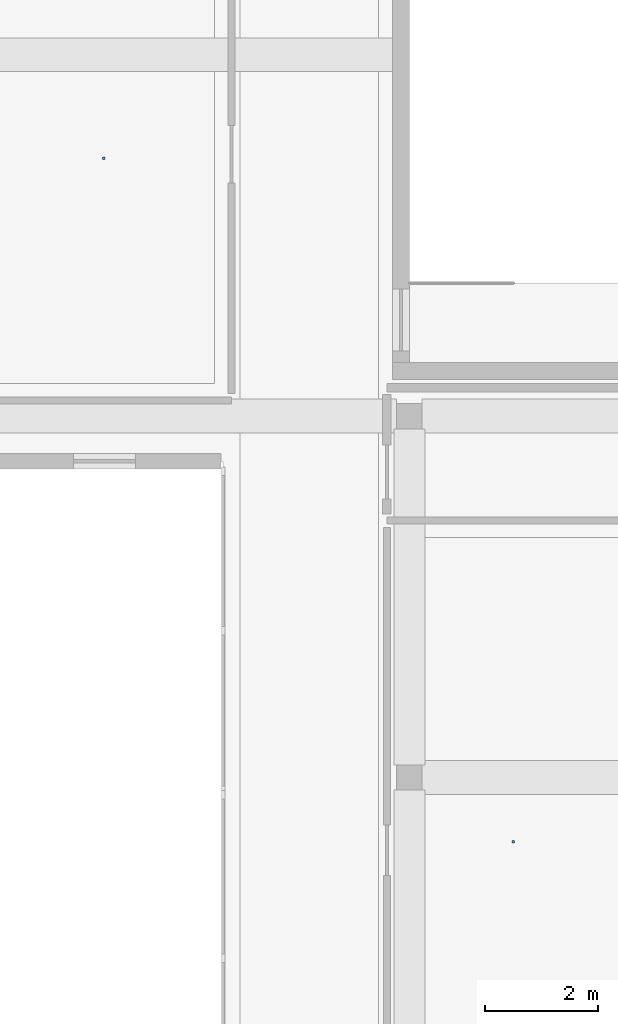
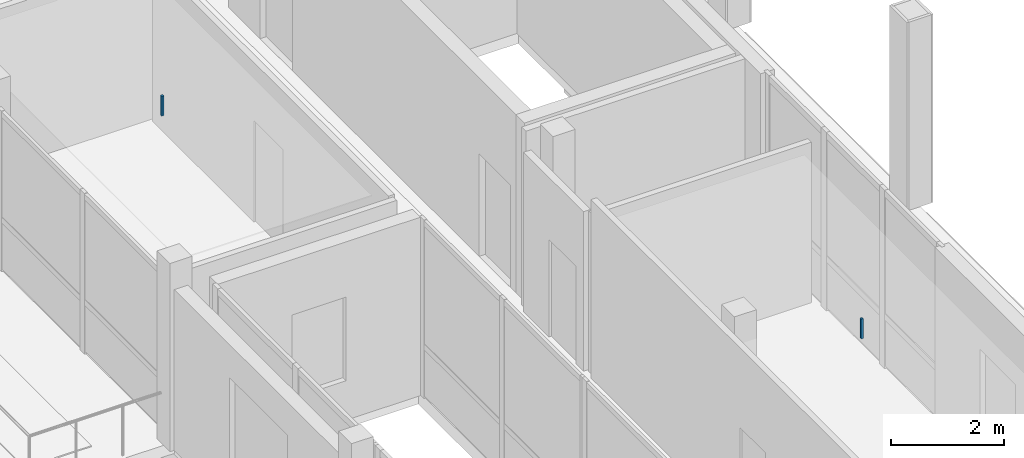
# One storey, part 37 of 48: 2 discrete accessories.
"""IFC4 building model written with IfcOpenShell, lengths in metres."""

import ifcopenshell
import ifcopenshell.guid

model = None  # the IFC model being written
_history = None  # IfcOwnerHistory: only IFC2X3 demands one
_inside = {}  # id of a spatial element -> (the spatial element, [elements in it])
_under = {}  # id of a project, library or spatial element -> (it, [spatial elements below it])
_declared = {}  # id of a project -> (the project, [libraries it declares])
_typed = {}  # id of a type object -> (the type object, [elements of that type])
_made_of = {}  # id of a material, layer set ... -> (it, [elements and type objects made of it])


def new_model(schema):
    """Start an empty IFC model of exactly this schema.

    Asked for "IFC4X3", IfcOpenShell would pick the latest addendum, in which some entities
    have other attributes; the version numbers below select the first issue.
    IFC2X3 requires an IfcOwnerHistory on every rooted entity: one is made here for all.
    """
    global model, _history
    if schema == "IFC4X3":
        model = ifcopenshell.file(schema_version=(4, 3, 0, 0))
    else:
        model = ifcopenshell.file(schema=schema)
    _inside.clear()
    _under.clear()
    _declared.clear()
    _typed.clear()
    _made_of.clear()
    _history = None
    if model.schema == "IFC2X3":
        org = make("IfcOrganization", Name="unknown")
        user = make(
            "IfcPersonAndOrganization",
            ThePerson=make("IfcPerson", FamilyName="unknown"),
            TheOrganization=org,
        )
        app = make(
            "IfcApplication",
            ApplicationDeveloper=org,
            Version="unknown",
            ApplicationFullName="unknown",
            ApplicationIdentifier="unknown",
        )
        _history = make(
            "IfcOwnerHistory",
            OwningUser=user,
            OwningApplication=app,
            ChangeAction="ADDED",
            CreationDate=0,
        )
    return model


def make(cls, **values):
    """One entity of the class cls with the attributes given. An attribute that is None is left unset."""
    return model.create_entity(
        cls, **{name: value for name, value in values.items() if value is not None}
    )


def rooted(cls, **values):
    """An entity with a GlobalId (a new one), such as an element, a storey or a relation."""
    return make(cls, GlobalId=ifcopenshell.guid.new(), OwnerHistory=_history, **values)


def si_unit(unit_type, name, prefix=None):
    """IfcSIUnit, for example si_unit("LENGTHUNIT", "METRE", prefix="MILLI")."""
    return make("IfcSIUnit", UnitType=unit_type, Prefix=prefix, Name=name)


def derived_unit(unit_type, elements):
    """IfcDerivedUnit: a product of units, each with its exponent."""
    return make(
        "IfcDerivedUnit",
        Elements=[
            make("IfcDerivedUnitElement", Unit=unit, Exponent=power)
            for unit, power in elements
        ],
        UnitType=unit_type,
    )


def assignment(units):
    """IfcUnitAssignment: the units of a project."""
    return None if units is None else make("IfcUnitAssignment", Units=units)


def point(xyz):
    """IfcCartesianPoint."""
    return None if xyz is None else make("IfcCartesianPoint", Coordinates=xyz)


def direction(xyz):
    """IfcDirection."""
    return None if xyz is None else make("IfcDirection", DirectionRatios=xyz)


def frame(location, z_axis=None, x_axis=None):
    """IfcAxis2Placement3D, a coordinate frame: its origin and axes. An axis left out is left unset."""
    return make(
        "IfcAxis2Placement3D",
        Location=point(location),
        Axis=direction(z_axis),
        RefDirection=direction(x_axis),
    )


def frame_2d(location, x_axis=None):
    """IfcAxis2Placement2D, a coordinate frame in the plane: its origin and x axis."""
    return make(
        "IfcAxis2Placement2D", Location=point(location), RefDirection=direction(x_axis)
    )


def origin():
    """The frame at (0, 0, 0) with its axes left unset."""
    return frame((0.0, 0.0, 0.0))


def origin_2d():
    """The frame at (0, 0) in the plane with its x axis left unset."""
    return frame_2d((0.0, 0.0))


def place(relative_to, where):
    """IfcLocalPlacement: puts the frame where relative to a parent placement (None: the world)."""
    return make(
        "IfcLocalPlacement", PlacementRelTo=relative_to, RelativePlacement=where
    )


def context(
    kind, dimensions, precision=None, world=None, true_north=None, identifier=None
):
    """IfcGeometricRepresentationContext, for example the 3D "Model" context."""
    return make(
        "IfcGeometricRepresentationContext",
        ContextIdentifier=identifier,
        ContextType=kind,
        CoordinateSpaceDimension=dimensions,
        Precision=precision,
        WorldCoordinateSystem=world,
        TrueNorth=true_north,
    )


def subcontext(parent, identifier, kind, view, scale=None):
    """IfcGeometricRepresentationSubContext, for example "Body" below "Model"."""
    return make(
        "IfcGeometricRepresentationSubContext",
        ContextIdentifier=identifier,
        ContextType=kind,
        ParentContext=parent,
        TargetScale=scale,
        TargetView=view,
    )


def project(units=None, contexts=None):
    """IfcProject with its units and contexts."""
    return rooted(
        "IfcProject",
        Name="project",
        RepresentationContexts=contexts,
        UnitsInContext=assignment(units),
    )


def spatial(cls, under=None, at=None, **own):
    """A site, building, storey or space (cls), placed at a placement, below another one or the project."""
    s = rooted(cls, ObjectPlacement=at, **own)
    if under is not None:
        _under.setdefault(under.id(), (under, []))[1].append(s)
    return s


def profile(cls, at=None, kind="AREA", **sizes):
    """A parametric profile (cls). Its sizes go by their IFC names, for example OverallWidth=200.0."""
    return make(cls, ProfileType=kind, Position=at, **sizes)


def rectangle(**sizes):
    """IfcRectangleProfileDef."""
    return profile("IfcRectangleProfileDef", **sizes)


def extrude(swept, where, along, depth):
    """IfcExtrudedAreaSolid: the profile swept, set in the frame where, extruded along a direction by depth."""
    return make(
        "IfcExtrudedAreaSolid",
        SweptArea=swept,
        Position=where,
        ExtrudedDirection=direction(along),
        Depth=depth,
    )


def shape(context_of_items, identifier, shape_type, items):
    """IfcShapeRepresentation: the items that make up one representation, for example the "Body"."""
    return make(
        "IfcShapeRepresentation",
        ContextOfItems=context_of_items,
        RepresentationIdentifier=identifier,
        RepresentationType=shape_type,
        Items=items,
    )


def material(Name=None, Category=None):
    """IfcMaterial."""
    return make("IfcMaterial", Name=Name, Category=Category)


def made_of(thing, what):
    """Note that an element or type object is made of a material, layer set ...; save() writes the relation."""
    if what is not None:
        _made_of.setdefault(what.id(), (what, []))[1].append(thing)
    return thing


def type_object(cls, material=None, **own):
    """A type object (cls), such as IfcWallType, which elements share."""
    return made_of(rooted(cls, **own), material)


def element(
    cls,
    number,
    at=None,
    inside=None,
    cuts=None,
    type_object=None,
    material=None,
    context=None,
    identifier="Body",
    shape_type=None,
    held_by="IfcProductDefinitionShape",
    body=None,
    shapes=None,
    **own,
):
    """One element of the class cls, such as IfcWall. Its Tag is "e" and its number.

    at: its placement. inside: the storey or other place that contains it. cuts: it is an
    opening in that element (IfcRelVoidsElement). A single representation is given by context,
    identifier, shape_type and body (its items); several are given by shapes. held_by: the class
    of the entity that holds the representations. save() writes the other relations.
    """
    e = rooted(cls, Tag="e%d" % number, ObjectPlacement=at, **own)
    if body is not None:
        shapes = [shape(context, identifier, shape_type, body)]
    if shapes is not None:
        e.Representation = make(held_by, Representations=shapes)
    if inside is not None:
        _inside.setdefault(inside.id(), (inside, []))[1].append(e)
    if cuts is not None:
        rooted(
            "IfcRelVoidsElement", RelatingBuildingElement=cuts, RelatedOpeningElement=e
        )
    if type_object is not None:
        _typed.setdefault(type_object.id(), (type_object, []))[1].append(e)
    return made_of(e, material)


def aggregate(whole, parts):
    """IfcRelAggregates: a whole, such as a stair, and the parts it consists of."""
    return rooted("IfcRelAggregates", RelatingObject=whole, RelatedObjects=parts)


def save(model, path):
    """Write the relations noted so far, then the file.

    IfcRelAggregates (storeys below a building ...), IfcRelContainedInSpatialStructure (elements
    in a storey), IfcRelDefinesByType, IfcRelAssociatesMaterial and IfcRelDeclares: one each for
    every whole, place, type object, material and project.
    """
    for whole, parts in _under.values():
        aggregate(whole, parts)
    for where, things in _inside.values():
        rooted(
            "IfcRelContainedInSpatialStructure",
            RelatedElements=things,
            RelatingStructure=where,
        )
    for kind, things in _typed.values():
        rooted("IfcRelDefinesByType", RelatedObjects=things, RelatingType=kind)
    for what, things in _made_of.values():
        rooted("IfcRelAssociatesMaterial", RelatedObjects=things, RelatingMaterial=what)
    for by, libraries in _declared.values():
        rooted("IfcRelDeclares", RelatingContext=by, RelatedDefinitions=libraries)
    model.write(path)


model = new_model("IFC4")

# Units and contexts
model_context = context("Model", 3, precision=1e-05, world=origin(), true_north=direction((0.0, 1.0)))
body_context = subcontext(model_context, "Body", "Model", "MODEL_VIEW")
ifc_project = project(units=[si_unit("LENGTHUNIT", "METRE"), si_unit("AREAUNIT", "SQUARE_METRE"), si_unit("VOLUMEUNIT", "CUBIC_METRE"), si_unit("PLANEANGLEUNIT", "RADIAN"), si_unit("MASSUNIT", "GRAM", prefix="KILO"), derived_unit("THERMALTRANSMITTANCEUNIT", [(si_unit("POWERUNIT", "WATT"), 1), (si_unit("LENGTHUNIT", "METRE"), -2), (si_unit("THERMODYNAMICTEMPERATUREUNIT", "KELVIN"), -1)])], contexts=[model_context])

# Site, building, storey
site_placement = place(None, origin())
site = spatial("IfcSite", under=ifc_project, at=site_placement, CompositionType="ELEMENT")
building_placement = place(site_placement, origin())
building = spatial("IfcBuilding", under=site, at=building_placement, Name="Braskholm Square Health Centre", CompositionType="ELEMENT")
storey_placement = place(building_placement, frame((0.0, 0.0, 17.550048828125)))
storey = spatial("IfcBuildingStorey", under=building, at=storey_placement, Name="L05", CompositionType="ELEMENT", Elevation=17.550048828125)

# Discrete accessories
ifc_material = material(Name="Steel ASTM A500 Grade C", Category="steel")
discrete_accessory_type = type_object("IfcDiscreteAccessoryType", Name="CeilingSuspensionBracket", PredefinedType="BRACKET", material=ifc_material)
for number, where, z_axis, x_axis, name in (
    (1, (158.43994140625, 41.465087890625, 3.421875), (0.0, 0.0, 1.0), (1.0, 0.0, 0.0), "Ceiling hanger bracket 0192"),
    (2, (151.18505859375, 53.56494140625, 3.421875), (0.0, 0.0, 1.0), (1.0, 0.0, 0.0), "Ceiling hanger bracket 0201"),
):
    element("IfcDiscreteAccessory", number, at=place(storey_placement, frame(where, z_axis=z_axis, x_axis=x_axis)), inside=storey, type_object=discrete_accessory_type, Name=name, PredefinedType="BRACKET", context=body_context, shape_type="SweptSolid", body=[
        extrude(rectangle(XDim=0.044921875, YDim=0.044921875, at=origin_2d()), origin(), (0.0, 0.0, 1.0), 0.429931640625),
    ])

save(model, "model.ifc")
